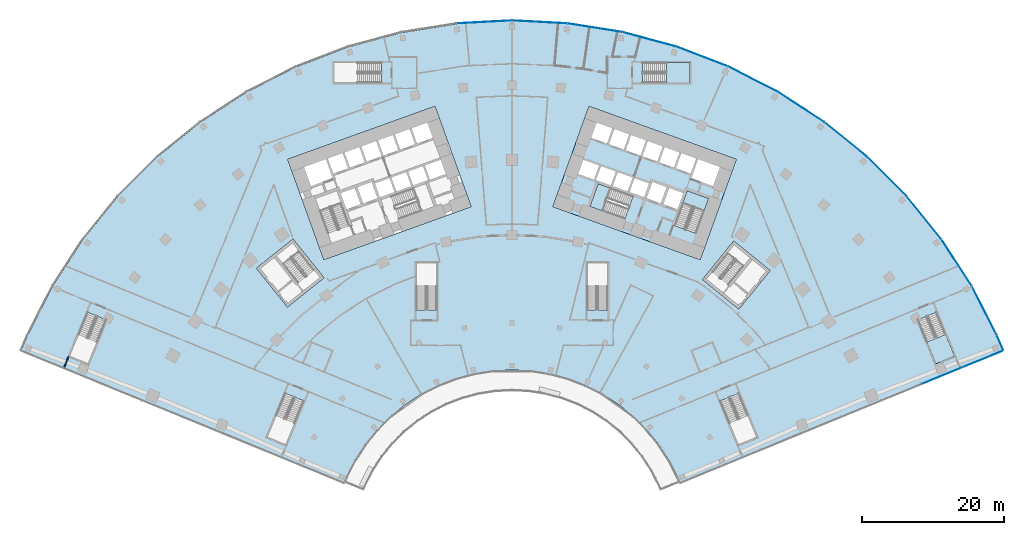
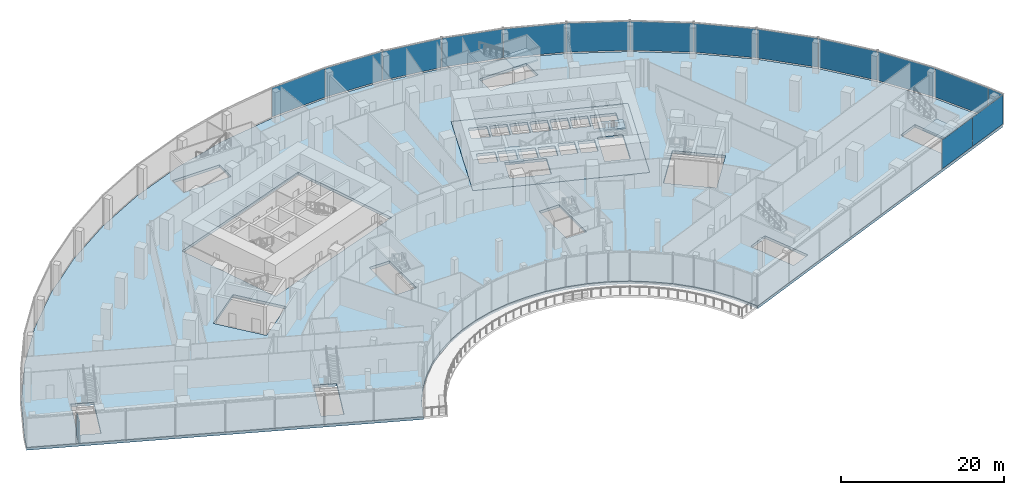
# One storey, part 20 of 39: 15 plates, 6 slabs, 1 wall, 6 elements without a shape of their own.
"""IFC4 building model written with IfcOpenShell, lengths in metres."""

from ifc_helpers import new_model, si_unit, direction, frame, frame_2d, origin, origin_2d, place, context, subcontext, project, spatial, polyline, rectangle, outline, extrude, material, layer, layer_set, type_object, element, aggregate, save


model = new_model("IFC4")

# Units and contexts
model_context = context("Model", 3, precision=1e-05, world=origin(), true_north=direction((0.0, 1.0)))
body_context = subcontext(model_context, "Body", "Model", "MODEL_VIEW")
ifc_project = project(units=[si_unit("LENGTHUNIT", "METRE"), si_unit("AREAUNIT", "SQUARE_METRE"), si_unit("VOLUMEUNIT", "CUBIC_METRE"), si_unit("PLANEANGLEUNIT", "RADIAN"), si_unit("MASSUNIT", "GRAM", prefix="KILO")], contexts=[model_context])

# Site, building, storey
site_placement = place(None, origin())
site = spatial("IfcSite", under=ifc_project, at=site_placement, CompositionType="ELEMENT")
building_placement = place(site_placement, origin())
building = spatial("IfcBuilding", under=site, at=building_placement, Name="Stone Belt Terrace Tower", CompositionType="ELEMENT")
storey_placement = place(building_placement, frame((0.0, 0.0, 16.199951171875)))
storey = spatial("IfcBuildingStorey", under=building, at=storey_placement, Name="L03", CompositionType="ELEMENT", Elevation=16.199951171875)

# Curtain wall, plates
ifc_material_1 = material(Name="Aluminium 6063-T6 anodised frame", Category="aluminium")
ifc_layer_1 = layer(ifc_material_1, 0.14990234375)
ifc_layer_set_1 = layer_set([ifc_layer_1], Name="CW-D podium shopfront")
curtain_wall_type = type_object("IfcCurtainWallType", Name="CW-D podium shopfront", PredefinedType="NOTDEFINED", material=ifc_layer_set_1)
curtain_wall_1_placement = place(storey_placement, origin())
curtain_wall_1 = element("IfcCurtainWall", 1, at=curtain_wall_1_placement, inside=storey, type_object=curtain_wall_type, Name="CW-D end face L03", PredefinedType="NOTDEFINED")
ifc_material_2 = material(Name="Clear double glazed unit")
ifc_layer_2 = layer(ifc_material_2, 0.031982421875)
ifc_layer_set_2 = layer_set([ifc_layer_2], Name="CW-D glass panel 32")
plate_type = type_object("IfcPlateType", Name="CW-D glass panel 32", PredefinedType="CURTAIN_PANEL", material=ifc_layer_set_2)
plate_1_placement = place(storey_placement, frame((60.4619140625, 24.699951171875, 0.14013671875), z_axis=(0.0, 0.0, 1.0), x_axis=(0.925297074342, 0.379243093825, 0.0)))
plate_1 = element("IfcPlate", 2, at=plate_1_placement, type_object=plate_type, Name="CW-D panel 7.1", PredefinedType="CURTAIN_PANEL", context=body_context, shape_type="SweptSolid", body=[
    extrude(rectangle(XDim=6.06494140625, YDim=0.031982421875, at=origin_2d()), origin(), (0.0, 0.0, 1.0), 4.320068359375),
])
plate_2_placement = place(storey_placement, frame((66.14404296875, 27.02880859375, 0.14013671875), z_axis=(0.0, 0.0, 1.0), x_axis=(0.925297074342, 0.379243093825, 0.0)))
plate_2 = element("IfcPlate", 3, at=plate_2_placement, type_object=plate_type, Name="CW-D panel 8.1", PredefinedType="CURTAIN_PANEL", context=body_context, shape_type="SweptSolid", body=[
    extrude(rectangle(XDim=6.0966796875, YDim=0.031982421875, at=origin_2d()), origin(), (0.0, 0.0, 1.0), 4.320068359375),
])
aggregate(curtain_wall_1, [plate_1, plate_2])

curtain_wall_2_placement = place(storey_placement, origin())
curtain_wall_2 = element("IfcCurtainWall", 4, at=curtain_wall_2_placement, inside=storey, type_object=curtain_wall_type, Name="CW-D convex face L03", PredefinedType="NOTDEFINED")
plate_3_placement = place(storey_placement, frame((68.572021484375, 29.292724609375, 0.14013671875), z_axis=(0.0, 0.0, 1.0), x_axis=(-0.393033792222, 0.919524028056, 0.0)))
plate_3 = element("IfcPlate", 5, at=plate_3_placement, type_object=plate_type, Name="CW-D panel 1.1", PredefinedType="CURTAIN_PANEL", context=body_context, shape_type="SweptSolid", body=[
    extrude(rectangle(XDim=2.19921875, YDim=0.031982421875, at=origin_2d()), origin(), (0.0, 0.0, 1.0), 4.320068359375),
])
plate_4_placement = place(storey_placement, frame((66.355712890625, 33.81005859375, 0.14013671875), z_axis=(0.0, 0.0, 1.0), x_axis=(-0.45399049974, 0.891006524188, 0.0)))
plate_4 = element("IfcPlate", 6, at=plate_4_placement, type_object=plate_type, Name="CW-D panel 2.1", PredefinedType="CURTAIN_PANEL", context=body_context, shape_type="SweptSolid", body=[
    extrude(rectangle(XDim=7.738037109375, YDim=0.031982421875, at=origin_2d()), origin(), (0.0, 0.0, 1.0), 4.320068359375),
])
plate_5_placement = place(storey_placement, frame((62.458251953125, 40.560791015625, 0.14013671875), z_axis=(0.0, 0.0, 1.0), x_axis=(-0.544639035015, 0.838670567945, 0.0)))
plate_5 = element("IfcPlate", 7, at=plate_5_placement, type_object=plate_type, Name="CW-D panel 3.1", PredefinedType="CURTAIN_PANEL", context=body_context, shape_type="SweptSolid", body=[
    extrude(rectangle(XDim=7.738037109375, YDim=0.031982421875, at=origin_2d()), origin(), (0.0, 0.0, 1.0), 4.320068359375),
])
plate_6_placement = place(storey_placement, frame((57.876220703125, 46.867431640625, 0.14013671875), z_axis=(0.0, 0.0, 1.0), x_axis=(-0.62932039105, 0.777145961457, 0.0)))
plate_6 = element("IfcPlate", 8, at=plate_6_placement, type_object=plate_type, Name="CW-D panel 4.1", PredefinedType="CURTAIN_PANEL", context=body_context, shape_type="SweptSolid", body=[
    extrude(rectangle(XDim=7.738037109375, YDim=0.031982421875, at=origin_2d()), origin(), (0.0, 0.0, 1.0), 4.320068359375),
])
plate_7_placement = place(storey_placement, frame((52.660400390625, 52.660400390625, 0.14013671875), z_axis=(0.0, 0.0, 1.0), x_axis=(-0.707106781187, 0.707106781187, 0.0)))
plate_7 = element("IfcPlate", 9, at=plate_7_placement, type_object=plate_type, Name="CW-D panel 5.1", PredefinedType="CURTAIN_PANEL", context=body_context, shape_type="SweptSolid", body=[
    extrude(rectangle(XDim=7.738037109375, YDim=0.031982421875, at=origin_2d()), origin(), (0.0, 0.0, 1.0), 4.320068359375),
])
plate_8_placement = place(storey_placement, frame((46.867431640625, 57.876220703125, 0.14013671875), z_axis=(0.0, 0.0, 1.0), x_axis=(-0.777145961457, 0.62932039105, 0.0)))
plate_8 = element("IfcPlate", 10, at=plate_8_placement, type_object=plate_type, Name="CW-D panel 6.1", PredefinedType="CURTAIN_PANEL", context=body_context, shape_type="SweptSolid", body=[
    extrude(rectangle(XDim=7.738037109375, YDim=0.031982421875, at=origin_2d()), origin(), (0.0, 0.0, 1.0), 4.320068359375),
])
plate_9_placement = place(storey_placement, frame((40.560791015625, 62.458251953125, 0.14013671875), z_axis=(0.0, 0.0, 1.0), x_axis=(-0.838670567945, 0.544639035015, 0.0)))
plate_9 = element("IfcPlate", 11, at=plate_9_placement, type_object=plate_type, Name="CW-D panel 7.1", PredefinedType="CURTAIN_PANEL", context=body_context, shape_type="SweptSolid", body=[
    extrude(rectangle(XDim=7.738037109375, YDim=0.031982421875, at=origin_2d()), origin(), (0.0, 0.0, 1.0), 4.320068359375),
])
plate_10_placement = place(storey_placement, frame((33.81005859375, 66.35595703125, 0.14013671875), z_axis=(0.0, 0.0, 1.0), x_axis=(-0.891006524188, 0.45399049974, 0.0)))
plate_10 = element("IfcPlate", 12, at=plate_10_placement, type_object=plate_type, Name="CW-D panel 8.1", PredefinedType="CURTAIN_PANEL", context=body_context, shape_type="SweptSolid", body=[
    extrude(rectangle(XDim=7.738037109375, YDim=0.031982421875, at=origin_2d()), origin(), (0.0, 0.0, 1.0), 4.320068359375),
])
plate_11_placement = place(storey_placement, frame((26.688720703125, 69.5263671875, 0.14013671875), z_axis=(0.0, 0.0, 1.0), x_axis=(-0.933580426497, 0.358367949545, 0.0)))
plate_11 = element("IfcPlate", 13, at=plate_11_placement, type_object=plate_type, Name="CW-D panel 9.1", PredefinedType="CURTAIN_PANEL", context=body_context, shape_type="SweptSolid", body=[
    extrude(rectangle(XDim=7.738037109375, YDim=0.031982421875, at=origin_2d()), origin(), (0.0, 0.0, 1.0), 4.320068359375),
])
plate_12_placement = place(storey_placement, frame((19.27490234375, 71.935302734375, 0.14013671875), z_axis=(0.0, 0.0, 1.0), x_axis=(-0.965925826289, 0.258819045103, 0.0)))
plate_12 = element("IfcPlate", 14, at=plate_12_placement, type_object=plate_type, Name="CW-D panel 10.1", PredefinedType="CURTAIN_PANEL", context=body_context, shape_type="SweptSolid", body=[
    extrude(rectangle(XDim=7.738037109375, YDim=0.031982421875, at=origin_2d()), origin(), (0.0, 0.0, 1.0), 4.320068359375),
])
plate_13_placement = place(storey_placement, frame((11.650146484375, 73.555908203125, 0.14013671875), z_axis=(0.0, 0.0, 1.0), x_axis=(-0.987688340595, 0.15643446504, 0.0)))
plate_13 = element("IfcPlate", 15, at=plate_13_placement, type_object=plate_type, Name="CW-D panel 11.1", PredefinedType="CURTAIN_PANEL", context=body_context, shape_type="SweptSolid", body=[
    extrude(rectangle(XDim=7.738037109375, YDim=0.031982421875, at=origin_2d()), origin(), (0.0, 0.0, 1.0), 4.320068359375),
])
plate_14_placement = place(storey_placement, frame((3.897705078125, 74.370849609375, 0.14013671875), z_axis=(0.0, 0.0, 1.0), x_axis=(-0.998629534755, 0.052335956243, 0.0)))
plate_14 = element("IfcPlate", 16, at=plate_14_placement, type_object=plate_type, Name="CW-D panel 12.1", PredefinedType="CURTAIN_PANEL", context=body_context, shape_type="SweptSolid", body=[
    extrude(rectangle(XDim=7.738037109375, YDim=0.031982421875, at=origin_2d()), origin(), (0.0, 0.0, 1.0), 4.320068359375),
])
plate_15_placement = place(storey_placement, frame((-3.897705078125, 74.370849609375, 0.14013671875), z_axis=(0.0, 0.0, 1.0), x_axis=(-0.998629534755, -0.052335956243, 0.0)))
plate_15 = element("IfcPlate", 17, at=plate_15_placement, type_object=plate_type, Name="CW-D panel 13.1", PredefinedType="CURTAIN_PANEL", context=body_context, shape_type="SweptSolid", body=[
    extrude(rectangle(XDim=7.738037109375, YDim=0.031982421875, at=origin_2d()), origin(), (0.0, 0.0, 1.0), 4.320068359375),
])
aggregate(curtain_wall_2, [plate_3, plate_4, plate_5, plate_6, plate_7, plate_8, plate_9, plate_10, plate_11, plate_12, plate_13, plate_14, plate_15])

# Slabs
ifc_material_3 = material(Name="Concrete B40", Category="concrete")
ifc_layer_3 = layer(ifc_material_3, 0.39990234375)
ifc_layer_set_3 = layer_set([ifc_layer_3], Name="Core floor slab 400")
slab_type_1 = type_object("IfcSlabType", Name="Core floor slab 400", PredefinedType="FLOOR", material=ifc_layer_set_3)
slab_1_placement = place(storey_placement, frame((0.0, 0.0, -0.39990234375)))
element("IfcSlab", 18, at=slab_1_placement, inside=storey, type_object=slab_type_1, Name="Core B floor L03", PredefinedType="FLOOR", context=body_context, shape_type="SweptSolid", body=[
    extrude(outline(polyline([(26.43505859375, 40.968994140625), (31.513916015625, 55.0830078125), (10.81396484375, 62.531982421875), (5.735107421875, 48.4189453125), (26.43505859375, 40.968994140625)]), holes=[polyline([(12.10595703125, 51.652099609375), (16.998046875, 49.89208984375), (15.846923828125, 46.69189453125), (10.955078125, 48.452880859375), (12.10595703125, 51.652099609375)]), polyline([(19.239990234375, 51.68896484375), (18.5458984375, 49.760009765625), (16.52294921875, 50.488037109375), (17.217041015625, 52.4169921875), (19.239990234375, 51.68896484375)]), polyline([(16.239990234375, 50.589111328125), (14.169921875, 51.333984375), (14.864013671875, 53.262939453125), (16.93408203125, 52.51806640625), (16.239990234375, 50.589111328125)]), polyline([(14.58203125, 53.364990234375), (13.887939453125, 51.43603515625), (11.864990234375, 52.1640625), (11.847900390625, 52.116943359375), (11.801025390625, 52.134033203125), (12.511962890625, 54.110107421875), (14.58203125, 53.364990234375)]), polyline([(9.30810546875, 53.031005859375), (10.01904296875, 55.007080078125), (12.22998046875, 54.2109375), (11.51904296875, 52.235107421875), (9.30810546875, 53.031005859375)]), polyline([(16.743896484375, 58.485107421875), (18.81396484375, 57.739990234375), (18.052001953125, 55.623046875), (15.98193359375, 56.367919921875), (16.743896484375, 58.485107421875)]), polyline([(14.39111328125, 59.33203125), (16.4609375, 58.5869140625), (15.699951171875, 56.469970703125), (13.6298828125, 57.215087890625), (14.39111328125, 59.33203125)]), polyline([(11.89794921875, 60.22900390625), (14.10888671875, 59.43408203125), (13.346923828125, 57.31591796875), (11.135986328125, 58.112060546875), (11.89794921875, 60.22900390625)]), polyline([(25.85888671875, 44.68408203125), (22.847900390625, 45.76806640625), (24.60791015625, 50.659912109375), (27.618896484375, 49.575927734375), (25.85888671875, 44.68408203125)]), polyline([(21.27392578125, 48.778076171875), (22.0869140625, 51.035888671875), (24.06298828125, 50.324951171875), (23.25, 48.06689453125), (21.27392578125, 48.778076171875)]), polyline([(18.922119140625, 49.6240234375), (19.735107421875, 51.883056640625), (21.7109375, 51.1708984375), (20.89794921875, 48.9130859375), (18.922119140625, 49.6240234375)]), polyline([(29.2109375, 53.9990234375), (28.24609375, 51.31689453125), (25.18798828125, 52.41796875), (26.153076171875, 55.09912109375), (29.2109375, 53.9990234375)]), polyline([(23.801025390625, 55.946044921875), (25.87109375, 55.200927734375), (25.10888671875, 53.083984375), (23.0390625, 53.8291015625), (23.801025390625, 55.946044921875)]), polyline([(21.447998046875, 56.7919921875), (23.51806640625, 56.047119140625), (22.756103515625, 53.929931640625), (20.68603515625, 54.675048828125), (21.447998046875, 56.7919921875)]), polyline([(19.095947265625, 57.638916015625), (21.166015625, 56.89404296875), (20.404052734375, 54.777099609375), (18.333984375, 55.52197265625), (19.095947265625, 57.638916015625)])]), origin(), (0.0, 0.0, 1.0), 0.39990234375),
])
ifc_layer_4 = layer(ifc_material_3, 0.39990234375)
ifc_layer_set_4 = layer_set([ifc_layer_4], Name="Floor slab 400 B40")
slab_type_2 = type_object("IfcSlabType", Name="Floor slab 400 B40", PredefinedType="FLOOR", material=ifc_layer_set_4)
slab_2_placement = place(storey_placement, frame((0.0, 0.0, -0.39990234375)))
element("IfcSlab", 19, at=slab_2_placement, inside=storey, type_object=slab_type_2, Name="Floor slab L03", PredefinedType="FLOOR", context=body_context, shape_type="SweptSolid", body=[
    extrude(outline(polyline([(-7.787353515625, 74.091796875), (0.0, 74.5), (7.787353515625, 74.091796875), (15.489501953125, 72.8720703125), (23.021728515625, 70.853759765625), (30.302001953125, 68.05908203125), (37.25, 64.518798828125), (43.7900390625, 60.271728515625), (49.85009765625, 55.3642578125), (55.3642578125, 49.85009765625), (60.271728515625, 43.7900390625), (64.518798828125, 37.25), (68.05908203125, 30.302001953125), (68.9345703125, 28.253662109375), (23.59521484375, 9.670654296875), (23.29541015625, 10.371826171875), (22.08349609375, 12.75), (20.6298828125, 14.988525390625), (18.9501953125, 17.062744140625), (17.062744140625, 18.9501953125), (14.988525390625, 20.6298828125), (12.75, 22.08349609375), (10.371826171875, 23.29541015625), (7.8798828125, 24.251953125), (5.3017578125, 24.94287109375), (2.66552734375, 25.3603515625), (0.0, 25.5), (-2.66552734375, 25.3603515625), (-5.3017578125, 24.94287109375), (-7.8798828125, 24.251953125), (-10.371826171875, 23.29541015625), (-12.75, 22.08349609375), (-14.988525390625, 20.6298828125), (-17.062744140625, 18.9501953125), (-18.9501953125, 17.062744140625), (-20.6298828125, 14.988525390625), (-22.08349609375, 12.75), (-23.29541015625, 10.371826171875), (-23.59521484375, 9.670654296875), (-68.9345703125, 28.253662109375), (-68.05908203125, 30.302001953125), (-64.518798828125, 37.25), (-60.271728515625, 43.7900390625), (-55.3642578125, 49.85009765625), (-49.85009765625, 55.3642578125), (-43.7900390625, 60.271728515625), (-37.25, 64.518798828125), (-30.302001953125, 68.05908203125), (-23.021728515625, 70.853759765625), (-15.489501953125, 72.8720703125), (-7.787353515625, 74.091796875)]), holes=[polyline([(-26.434814453125, 40.968994140625), (-5.734619140625, 48.418701171875), (-10.81396484375, 62.532470703125), (-31.51416015625, 55.082763671875), (-26.434814453125, 40.968994140625)]), polyline([(10.81396484375, 62.532470703125), (5.734619140625, 48.418701171875), (26.434814453125, 40.968994140625), (31.51416015625, 55.082763671875), (10.81396484375, 62.532470703125)]), polyline([(-31.77099609375, 14.969970703125), (-29.243896484375, 21.135986328125), (-31.881103515625, 22.217041015625), (-34.407958984375, 16.051025390625), (-31.77099609375, 14.969970703125)]), polyline([(-62.1669921875, 27.427978515625), (-59.530029296875, 26.347900390625), (-57.0029296875, 32.513916015625), (-59.639892578125, 33.594970703125), (-62.1669921875, 27.427978515625)]), polyline([(29.243896484375, 21.135986328125), (31.77099609375, 14.969970703125), (34.407958984375, 16.051025390625), (31.881103515625, 22.217041015625), (29.243896484375, 21.135986328125)]), polyline([(59.639892578125, 33.594970703125), (57.0029296875, 32.513916015625), (59.530029296875, 26.347900390625), (62.1669921875, 27.427978515625), (59.639892578125, 33.594970703125)]), polyline([(-13.425048828125, 40.556884765625), (-13.425048828125, 33.89306640625), (-10.574951171875, 33.89306640625), (-10.574951171875, 40.556884765625), (-13.425048828125, 40.556884765625)]), polyline([(13.425048828125, 40.556884765625), (10.574951171875, 40.556884765625), (10.574951171875, 33.89306640625), (13.425048828125, 33.89306640625), (13.425048828125, 40.556884765625)]), polyline([(-18.343017578125, 68.675048828125), (-25.007080078125, 68.675048828125), (-25.007080078125, 65.824951171875), (-18.343017578125, 65.824951171875), (-18.343017578125, 68.675048828125)]), polyline([(18.343017578125, 68.675048828125), (18.343017578125, 65.824951171875), (25.007080078125, 65.824951171875), (25.007080078125, 68.675048828125), (18.343017578125, 68.675048828125)]), polyline([(-35.91796875, 39.787353515625), (-31.55615234375, 34.3125), (-26.39404296875, 38.425048828125), (-30.756103515625, 43.89990234375), (-35.91796875, 39.787353515625)]), polyline([(36.2783203125, 39.459228515625), (31.15380859375, 43.61865234375), (26.742431640625, 38.18359375), (31.86669921875, 34.024169921875), (36.2783203125, 39.459228515625)])]), origin(), (0.0, 0.0, 1.0), 0.39990234375),
])

# Stair, slab
ifc_material_4 = material(Name="Concrete B30", Category="concrete")
stair_type_1 = type_object("IfcStairType", Name="Podium stair concrete B30", PredefinedType="HALF_TURN_STAIR", material=ifc_material_4)
stair_1_placement = place(storey_placement, origin())
stair_1 = element("IfcStair", 20, at=stair_1_placement, inside=storey, type_object=stair_type_1, Name="L03 podium exit stair 4", PredefinedType="HALF_TURN_STAIR")
ifc_layer_5 = layer(ifc_material_4, 0.199951171875)
ifc_layer_set_5 = layer_set([ifc_layer_5], Name="Podium stair landing concrete B30")
slab_type_3 = type_object("IfcSlabType", Name="Podium stair landing concrete B30", PredefinedType="LANDING", material=ifc_layer_set_5)
slab_3_placement = place(storey_placement, frame((0.0, 0.0, 2.10009765625)))
slab_3 = element("IfcSlab", 21, at=slab_3_placement, type_object=slab_type_3, Name="PS4 landing 1", PredefinedType="LANDING", context=body_context, shape_type="SweptSolid", body=[
    extrude(outline(polyline([(58.274658203125, 29.410400390625), (59.531005859375, 26.3447265625), (62.168212890625, 27.425537109375), (60.91162109375, 30.4912109375), (58.274658203125, 29.410400390625)])), origin(), (0.0, 0.0, 1.0), 0.199951171875),
])
aggregate(stair_1, [slab_3])

stair_2_placement = place(storey_placement, origin())
stair_2 = element("IfcStair", 22, at=stair_2_placement, inside=storey, type_object=stair_type_1, Name="L03 podium exit stair 8", PredefinedType="HALF_TURN_STAIR")
slab_4_placement = place(storey_placement, frame((0.0, 0.0, 2.10009765625)))
slab_4 = element("IfcSlab", 23, at=slab_4_placement, type_object=slab_type_3, Name="PS8 landing 1", PredefinedType="LANDING", context=body_context, shape_type="SweptSolid", body=[
    extrude(outline(polyline([(21.697021484375, 65.824951171875), (25.010009765625, 65.824951171875), (25.010009765625, 68.675048828125), (21.697021484375, 68.675048828125), (21.697021484375, 65.824951171875)])), origin(), (0.0, 0.0, 1.0), 0.199951171875),
])
aggregate(stair_2, [slab_4])

stair_type_2 = type_object("IfcStairType", Name="Exit stair 1500", PredefinedType="HALF_TURN_STAIR", material=ifc_material_3)
stair_3_placement = place(storey_placement, origin())
stair_3 = element("IfcStair", 24, at=stair_3_placement, inside=storey, type_object=stair_type_2, Name="L03 Exit stair 1 core B", PredefinedType="HALF_TURN_STAIR")
ifc_layer_6 = layer(ifc_material_3, 0.199951171875)
ifc_layer_set_6 = layer_set([ifc_layer_6], Name="Stair landing 200")
slab_type_4 = type_object("IfcSlabType", Name="Stair landing 200", PredefinedType="LANDING", material=ifc_layer_set_6)
slab_5_placement = place(storey_placement, frame((0.0, 0.0, 2.10009765625)))
slab_5 = element("IfcSlab", 25, at=slab_5_placement, type_object=slab_type_4, Name="ST1B landing 1", PredefinedType="LANDING", context=body_context, shape_type="SweptSolid", body=[
    extrude(outline(polyline([(26.99609375, 47.84423828125), (27.619384765625, 49.576171875), (24.6083984375, 50.659912109375), (23.985107421875, 48.927734375), (26.99609375, 47.84423828125)])), origin(), (0.0, 0.0, 1.0), 0.199951171875),
])
aggregate(stair_3, [slab_5])

stair_4_placement = place(storey_placement, origin())
stair_4 = element("IfcStair", 26, at=stair_4_placement, inside=storey, type_object=stair_type_2, Name="L03 Exit stair 2 core B", PredefinedType="HALF_TURN_STAIR")
slab_6_placement = place(storey_placement, frame((0.0, 0.0, 2.10009765625)))
slab_6 = element("IfcSlab", 27, at=slab_6_placement, type_object=slab_type_4, Name="ST2B landing 1", PredefinedType="LANDING", context=body_context, shape_type="SweptSolid", body=[
    extrude(outline(polyline([(13.837890625, 51.02880859375), (12.10595703125, 51.652099609375), (10.95458984375, 48.453125), (12.6865234375, 47.82958984375), (13.837890625, 51.02880859375)])), origin(), (0.0, 0.0, 1.0), 0.199951171875),
])
aggregate(stair_4, [slab_6])

# Wall
ifc_material_5 = material(Name="Gypsum board on steel stud partition", Category="steel")
ifc_layer_7 = layer(ifc_material_5, 0.14990234375)
ifc_layer_set_7 = layer_set([ifc_layer_7], Name="Podium partition 150")
wall_type = type_object("IfcWallType", Name="Podium partition 150", PredefinedType="PARTITIONING", material=ifc_layer_set_7)
wall_placement = place(storey_placement, frame((-62.93994140625, 25.800048828125, 0.0), z_axis=(0.0, 0.0, 1.0), x_axis=(0.377466142262, 0.926023386015, 0.0)))
element("IfcWall", 28, at=wall_placement, inside=storey, type_object=wall_type, Name="Podium partition 150", PredefinedType="PARTITIONING", context=body_context, shape_type="SweptSolid", body=[
    extrude(rectangle(XDim=1.6953125, YDim=0.14990234375, at=frame_2d((0.84765625, 0.0))), origin(), (0.0, 0.0, 1.0), 3.300048828125),
])

save(model, "model.ifc")
